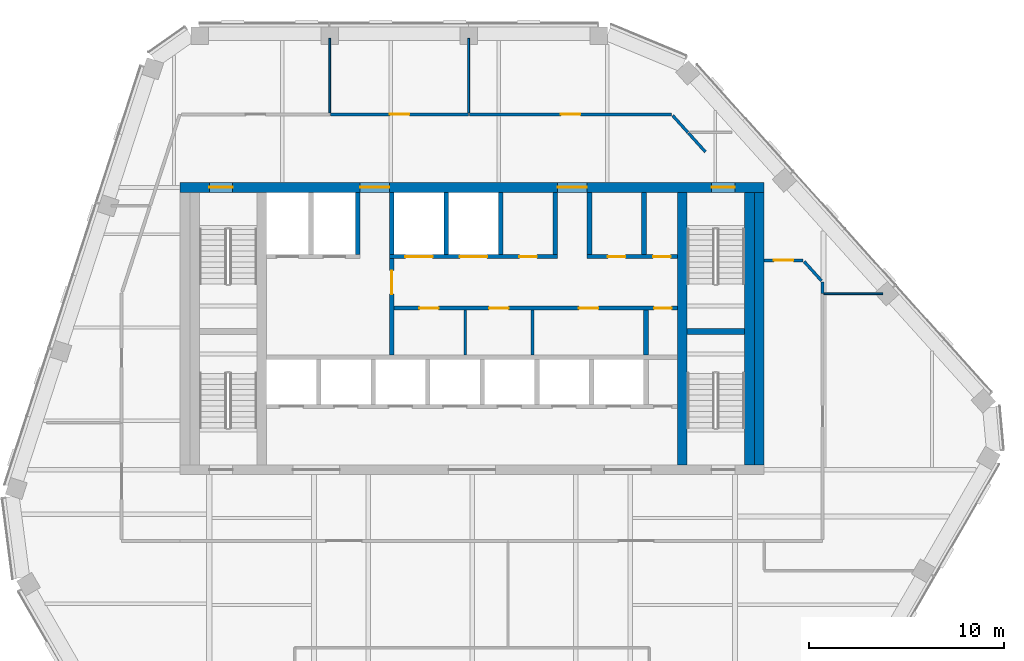
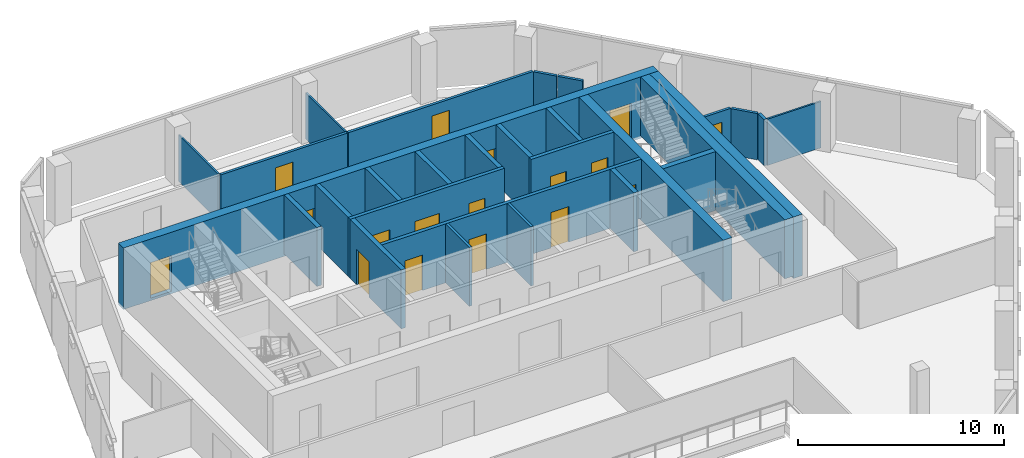
# One storey, part 9 of 15: 29 walls, 17 doors, 17 openings.
"""IFC4 building model written with IfcOpenShell, lengths in metres."""

import ifcopenshell
import ifcopenshell.guid

model = None  # the IFC model being written
_history = None  # IfcOwnerHistory: only IFC2X3 demands one
_inside = {}  # id of a spatial element -> (the spatial element, [elements in it])
_under = {}  # id of a project, library or spatial element -> (it, [spatial elements below it])
_declared = {}  # id of a project -> (the project, [libraries it declares])
_typed = {}  # id of a type object -> (the type object, [elements of that type])
_made_of = {}  # id of a material, layer set ... -> (it, [elements and type objects made of it])


def new_model(schema):
    """Start an empty IFC model of exactly this schema.

    Asked for "IFC4X3", IfcOpenShell would pick the latest addendum, in which some entities
    have other attributes; the version numbers below select the first issue.
    IFC2X3 requires an IfcOwnerHistory on every rooted entity: one is made here for all.
    """
    global model, _history
    if schema == "IFC4X3":
        model = ifcopenshell.file(schema_version=(4, 3, 0, 0))
    else:
        model = ifcopenshell.file(schema=schema)
    _inside.clear()
    _under.clear()
    _declared.clear()
    _typed.clear()
    _made_of.clear()
    _history = None
    if model.schema == "IFC2X3":
        org = make("IfcOrganization", Name="unknown")
        user = make(
            "IfcPersonAndOrganization",
            ThePerson=make("IfcPerson", FamilyName="unknown"),
            TheOrganization=org,
        )
        app = make(
            "IfcApplication",
            ApplicationDeveloper=org,
            Version="unknown",
            ApplicationFullName="unknown",
            ApplicationIdentifier="unknown",
        )
        _history = make(
            "IfcOwnerHistory",
            OwningUser=user,
            OwningApplication=app,
            ChangeAction="ADDED",
            CreationDate=0,
        )
    return model


def make(cls, **values):
    """One entity of the class cls with the attributes given. An attribute that is None is left unset."""
    return model.create_entity(
        cls, **{name: value for name, value in values.items() if value is not None}
    )


def rooted(cls, **values):
    """An entity with a GlobalId (a new one), such as an element, a storey or a relation."""
    return make(cls, GlobalId=ifcopenshell.guid.new(), OwnerHistory=_history, **values)


def si_unit(unit_type, name, prefix=None):
    """IfcSIUnit, for example si_unit("LENGTHUNIT", "METRE", prefix="MILLI")."""
    return make("IfcSIUnit", UnitType=unit_type, Prefix=prefix, Name=name)


def assignment(units):
    """IfcUnitAssignment: the units of a project."""
    return None if units is None else make("IfcUnitAssignment", Units=units)


def point(xyz):
    """IfcCartesianPoint."""
    return None if xyz is None else make("IfcCartesianPoint", Coordinates=xyz)


def direction(xyz):
    """IfcDirection."""
    return None if xyz is None else make("IfcDirection", DirectionRatios=xyz)


def frame(location, z_axis=None, x_axis=None):
    """IfcAxis2Placement3D, a coordinate frame: its origin and axes. An axis left out is left unset."""
    return make(
        "IfcAxis2Placement3D",
        Location=point(location),
        Axis=direction(z_axis),
        RefDirection=direction(x_axis),
    )


def frame_2d(location, x_axis=None):
    """IfcAxis2Placement2D, a coordinate frame in the plane: its origin and x axis."""
    return make(
        "IfcAxis2Placement2D", Location=point(location), RefDirection=direction(x_axis)
    )


def origin():
    """The frame at (0, 0, 0) with its axes left unset."""
    return frame((0.0, 0.0, 0.0))


def place(relative_to, where):
    """IfcLocalPlacement: puts the frame where relative to a parent placement (None: the world)."""
    return make(
        "IfcLocalPlacement", PlacementRelTo=relative_to, RelativePlacement=where
    )


def context(
    kind, dimensions, precision=None, world=None, true_north=None, identifier=None
):
    """IfcGeometricRepresentationContext, for example the 3D "Model" context."""
    return make(
        "IfcGeometricRepresentationContext",
        ContextIdentifier=identifier,
        ContextType=kind,
        CoordinateSpaceDimension=dimensions,
        Precision=precision,
        WorldCoordinateSystem=world,
        TrueNorth=true_north,
    )


def subcontext(parent, identifier, kind, view, scale=None):
    """IfcGeometricRepresentationSubContext, for example "Body" below "Model"."""
    return make(
        "IfcGeometricRepresentationSubContext",
        ContextIdentifier=identifier,
        ContextType=kind,
        ParentContext=parent,
        TargetScale=scale,
        TargetView=view,
    )


def project(units=None, contexts=None):
    """IfcProject with its units and contexts."""
    return rooted(
        "IfcProject",
        Name="project",
        RepresentationContexts=contexts,
        UnitsInContext=assignment(units),
    )


def spatial(cls, under=None, at=None, **own):
    """A site, building, storey or space (cls), placed at a placement, below another one or the project."""
    s = rooted(cls, ObjectPlacement=at, **own)
    if under is not None:
        _under.setdefault(under.id(), (under, []))[1].append(s)
    return s


def profile(cls, at=None, kind="AREA", **sizes):
    """A parametric profile (cls). Its sizes go by their IFC names, for example OverallWidth=200.0."""
    return make(cls, ProfileType=kind, Position=at, **sizes)


def rectangle(**sizes):
    """IfcRectangleProfileDef."""
    return profile("IfcRectangleProfileDef", **sizes)


def extrude(swept, where, along, depth):
    """IfcExtrudedAreaSolid: the profile swept, set in the frame where, extruded along a direction by depth."""
    return make(
        "IfcExtrudedAreaSolid",
        SweptArea=swept,
        Position=where,
        ExtrudedDirection=direction(along),
        Depth=depth,
    )


def shape(context_of_items, identifier, shape_type, items):
    """IfcShapeRepresentation: the items that make up one representation, for example the "Body"."""
    return make(
        "IfcShapeRepresentation",
        ContextOfItems=context_of_items,
        RepresentationIdentifier=identifier,
        RepresentationType=shape_type,
        Items=items,
    )


def material(Name=None, Category=None):
    """IfcMaterial."""
    return make("IfcMaterial", Name=Name, Category=Category)


def layer(
    of_material, thickness, ventilated=None, Name=None, Category=None, Priority=None
):
    """IfcMaterialLayer: one layer of a wall or slab, of a material (None: an air gap)."""
    return make(
        "IfcMaterialLayer",
        Material=of_material,
        LayerThickness=thickness,
        IsVentilated=ventilated,
        Name=Name,
        Category=Category,
        Priority=Priority,
    )


def layer_set(layers, Name=None):
    """IfcMaterialLayerSet."""
    return make("IfcMaterialLayerSet", MaterialLayers=layers, LayerSetName=Name)


def made_of(thing, what):
    """Note that an element or type object is made of a material, layer set ...; save() writes the relation."""
    if what is not None:
        _made_of.setdefault(what.id(), (what, []))[1].append(thing)
    return thing


def type_object(cls, material=None, **own):
    """A type object (cls), such as IfcWallType, which elements share."""
    return made_of(rooted(cls, **own), material)


def element(
    cls,
    number,
    at=None,
    inside=None,
    cuts=None,
    type_object=None,
    material=None,
    context=None,
    identifier="Body",
    shape_type=None,
    held_by="IfcProductDefinitionShape",
    body=None,
    shapes=None,
    **own,
):
    """One element of the class cls, such as IfcWall. Its Tag is "e" and its number.

    at: its placement. inside: the storey or other place that contains it. cuts: it is an
    opening in that element (IfcRelVoidsElement). A single representation is given by context,
    identifier, shape_type and body (its items); several are given by shapes. held_by: the class
    of the entity that holds the representations. save() writes the other relations.
    """
    e = rooted(cls, Tag="e%d" % number, ObjectPlacement=at, **own)
    if body is not None:
        shapes = [shape(context, identifier, shape_type, body)]
    if shapes is not None:
        e.Representation = make(held_by, Representations=shapes)
    if inside is not None:
        _inside.setdefault(inside.id(), (inside, []))[1].append(e)
    if cuts is not None:
        rooted(
            "IfcRelVoidsElement", RelatingBuildingElement=cuts, RelatedOpeningElement=e
        )
    if type_object is not None:
        _typed.setdefault(type_object.id(), (type_object, []))[1].append(e)
    return made_of(e, material)


def fill(opening, filler):
    """IfcRelFillsElement: the door or window that sits in an opening."""
    return rooted(
        "IfcRelFillsElement",
        RelatingOpeningElement=opening,
        RelatedBuildingElement=filler,
    )


def aggregate(whole, parts):
    """IfcRelAggregates: a whole, such as a stair, and the parts it consists of."""
    return rooted("IfcRelAggregates", RelatingObject=whole, RelatedObjects=parts)


def save(model, path):
    """Write the relations noted so far, then the file.

    IfcRelAggregates (storeys below a building ...), IfcRelContainedInSpatialStructure (elements
    in a storey), IfcRelDefinesByType, IfcRelAssociatesMaterial and IfcRelDeclares: one each for
    every whole, place, type object, material and project.
    """
    for whole, parts in _under.values():
        aggregate(whole, parts)
    for where, things in _inside.values():
        rooted(
            "IfcRelContainedInSpatialStructure",
            RelatedElements=things,
            RelatingStructure=where,
        )
    for kind, things in _typed.values():
        rooted("IfcRelDefinesByType", RelatedObjects=things, RelatingType=kind)
    for what, things in _made_of.values():
        rooted("IfcRelAssociatesMaterial", RelatedObjects=things, RelatingMaterial=what)
    for by, libraries in _declared.values():
        rooted("IfcRelDeclares", RelatingContext=by, RelatedDefinitions=libraries)
    model.write(path)


model = new_model("IFC4")

# Units and contexts
model_context = context("Model", 3, precision=1e-05, world=origin(), true_north=direction((0.0, 1.0)))
body_context = subcontext(model_context, "Body", "Model", "MODEL_VIEW")
ifc_project = project(units=[si_unit("LENGTHUNIT", "METRE"), si_unit("AREAUNIT", "SQUARE_METRE"), si_unit("VOLUMEUNIT", "CUBIC_METRE"), si_unit("PLANEANGLEUNIT", "RADIAN"), si_unit("MASSUNIT", "GRAM", prefix="KILO")], contexts=[model_context])

# Site, building, storey
site_placement = place(None, origin())
site = spatial("IfcSite", under=ifc_project, at=site_placement, CompositionType="ELEMENT")
building_placement = place(site_placement, origin())
building = spatial("IfcBuilding", under=site, at=building_placement, Name="Isthmus Gate Tower", CompositionType="ELEMENT")
storey_placement = place(building_placement, frame((0.0, 0.0, 290.14990234375)))
storey = spatial("IfcBuildingStorey", under=building, at=storey_placement, Name="L74", CompositionType="ELEMENT", Elevation=290.14990234375)

# Wall
ifc_material_1 = material(Name="Gypsum board on steel studs, fire-rated", Category="steel")
ifc_layer_1 = layer(ifc_material_1, 0.14990234375)
ifc_layer_set_1 = layer_set([ifc_layer_1], Name="CORRIDOR WALL 150 60 MIN")
wall_type_1 = type_object("IfcWallType", Name="CORRIDOR WALL 150 60 MIN", PredefinedType="PARTITIONING", material=ifc_layer_set_1)
wall_1_placement = place(storey_placement, frame((18.0, 9.89501953125, 0.0), z_axis=(0.0, 0.0, 1.0), x_axis=(0.0, -1.0, 0.0)))
element("IfcWall", 1, at=wall_1_placement, inside=storey, type_object=wall_type_1, Name="L74 Corridor Wall 150 60 Min", PredefinedType="PARTITIONING", context=body_context, shape_type="SweptSolid", body=[
    extrude(rectangle(XDim=0.60498046875, YDim=0.14990234375, at=frame_2d((0.302490234375, 0.0))), origin(), (0.0, 0.0, 1.0), 2.750732421875),
])

# Wall, opening, door
wall_2_placement = place(storey_placement, frame((-7.260009765625, 18.5, 0.0), z_axis=(0.0, 0.0, 1.0), x_axis=(1.0, 0.0, 0.0)))
wall_2 = element("IfcWall", 2, at=wall_2_placement, inside=storey, type_object=wall_type_1, Name="L74 Corridor Wall 150 60 Min", PredefinedType="PARTITIONING", context=body_context, shape_type="SweptSolid", body=[
    extrude(rectangle(XDim=7.0849609375, YDim=0.14990234375, at=frame_2d((3.54248046875, 0.0))), origin(), (0.0, 0.0, 1.0), 2.750732421875),
])
opening_1_placement = place(wall_2_placement, frame((3.04248046875, 0.0, 0.0)))
opening_1 = element("IfcOpeningElement", 3, at=opening_1_placement, cuts=wall_2, Name="Opening DT-T6C-02", PredefinedType="OPENING", context=body_context, shape_type="SweptSolid", body=[
    extrude(rectangle(XDim=1.0, YDim=2.10009765625, at=frame_2d((0.5, 1.050048828125))), frame((0.0, 0.0849609375, 0.0), z_axis=(0.0, -1.0, 0.0), x_axis=(1.0, 0.0, 0.0)), (0.0, 0.0, 1.0), 0.169921875),
])
ifc_material_2 = material(Name="Solid core timber door leaf, fire-rated", Category="wood")
door_type_1 = type_object("IfcDoorType", Name="FIRE DOOR ROOM 1000 X 2100 60 MIN", OperationType="SINGLE_SWING_LEFT", PredefinedType="DOOR", material=ifc_material_2)
door_1_placement = place(opening_1_placement, origin())
door_1 = element("IfcDoor", 4, at=door_1_placement, inside=storey, type_object=door_type_1, Name="L74 room door", OperationType="SINGLE_SWING_RIGHT", OverallHeight=2.10009765625, OverallWidth=1.0, PredefinedType="DOOR", context=body_context, shape_type="SweptSolid", body=[
    extrude(rectangle(XDim=1.0, YDim=2.10009765625, at=frame_2d((0.5, 1.050048828125))), frame((0.0, 0.02490234375, 0.0), z_axis=(0.0, -1.0, 0.0), x_axis=(1.0, 0.0, 0.0)), (0.0, 0.0, 1.0), 0.050048828125),
])
fill(opening_1, door_1)

wall_3_placement = place(storey_placement, frame((-0.125, 18.5, 0.0), z_axis=(0.0, 0.0, 1.0), x_axis=(1.0, 0.0, 0.0)))
wall_3 = element("IfcWall", 5, at=wall_3_placement, inside=storey, type_object=wall_type_1, Name="L74 Corridor Wall 150 60 Min", PredefinedType="PARTITIONING", context=body_context, shape_type="SweptSolid", body=[
    extrude(rectangle(XDim=10.376953125, YDim=0.14990234375, at=frame_2d((5.1884765625, 0.0))), origin(), (0.0, 0.0, 1.0), 2.750732421875),
])
opening_2_placement = place(wall_3_placement, frame((4.6884765625, 0.0, 0.0)))
opening_2 = element("IfcOpeningElement", 6, at=opening_2_placement, cuts=wall_3, Name="Opening DT-T6C-03", PredefinedType="OPENING", context=body_context, shape_type="SweptSolid", body=[
    extrude(rectangle(XDim=1.0, YDim=2.10009765625, at=frame_2d((0.5, 1.050048828125))), frame((0.0, 0.0849609375, 0.0), z_axis=(0.0, -1.0, 0.0), x_axis=(1.0, 0.0, 0.0)), (0.0, 0.0, 1.0), 0.169921875),
])
door_2_placement = place(opening_2_placement, origin())
door_2 = element("IfcDoor", 7, at=door_2_placement, inside=storey, type_object=door_type_1, Name="L74 room door", OperationType="SINGLE_SWING_RIGHT", OverallHeight=2.10009765625, OverallWidth=1.0, PredefinedType="DOOR", context=body_context, shape_type="SweptSolid", body=[
    extrude(rectangle(XDim=1.0, YDim=2.10009765625, at=frame_2d((0.5, 1.050048828125))), frame((0.0, 0.02490234375, 0.0), z_axis=(0.0, -1.0, 0.0), x_axis=(1.0, 0.0, 0.0)), (0.0, 0.0, 1.0), 0.050048828125),
])
fill(opening_2, door_2)

# Walls
wall_4_placement = place(storey_placement, frame((10.30224609375, 18.4443359375, 0.0), z_axis=(0.0, 0.0, 1.0), x_axis=(0.668964731622, -0.743294146247, 0.0)))
element("IfcWall", 8, at=wall_4_placement, inside=storey, type_object=wall_type_1, Name="L74 Corridor Wall 150 60 Min", PredefinedType="PARTITIONING", context=body_context, shape_type="SweptSolid", body=[
    extrude(rectangle(XDim=1.162841796875, YDim=0.14990234375, at=frame_2d((0.58154296875, 0.0))), origin(), (0.0, 0.0, 1.0), 2.750732421875),
])
wall_5_placement = place(storey_placement, frame((11.113525390625, 17.542724609375, 0.0), z_axis=(0.0, 0.0, 1.0), x_axis=(0.669172057426, -0.743107500675, 0.0)))
element("IfcWall", 9, at=wall_5_placement, inside=storey, type_object=wall_type_1, Name="L74 Corridor Wall 150 60 Min", PredefinedType="PARTITIONING", context=body_context, shape_type="SweptSolid", body=[
    extrude(rectangle(XDim=1.301025390625, YDim=0.14990234375, at=frame_2d((0.650390625, 0.0))), origin(), (0.0, 0.0, 1.0), 2.750732421875),
])

# Wall, opening, door
wall_6_placement = place(storey_placement, frame((15.0, 11.0, 0.0), z_axis=(0.0, 0.0, 1.0), x_axis=(1.0, 0.0, 0.0)))
wall_6 = element("IfcWall", 10, at=wall_6_placement, inside=storey, type_object=wall_type_1, Name="L74 Corridor Wall 150 60 Min", PredefinedType="PARTITIONING", context=body_context, shape_type="SweptSolid", body=[
    extrude(rectangle(XDim=2.0048828125, YDim=0.14990234375, at=frame_2d((1.00244140625, 0.0))), origin(), (0.0, 0.0, 1.0), 2.750732421875),
])
opening_3_placement = place(wall_6_placement, frame((0.50244140625, 0.0, 0.0)))
opening_3 = element("IfcOpeningElement", 11, at=opening_3_placement, cuts=wall_6, Name="Opening DT-T6C-04", PredefinedType="OPENING", context=body_context, shape_type="SweptSolid", body=[
    extrude(rectangle(XDim=1.0, YDim=2.10009765625, at=frame_2d((0.5, 1.050048828125))), frame((0.0, 0.0849609375, 0.0), z_axis=(0.0, -1.0, 0.0), x_axis=(1.0, 0.0, 0.0)), (0.0, 0.0, 1.0), 0.169921875),
])
door_3_placement = place(opening_3_placement, origin())
door_3 = element("IfcDoor", 12, at=door_3_placement, inside=storey, type_object=door_type_1, Name="L74 room door", OperationType="SINGLE_SWING_LEFT", OverallHeight=2.10009765625, OverallWidth=1.0, PredefinedType="DOOR", context=body_context, shape_type="SweptSolid", body=[
    extrude(rectangle(XDim=1.0, YDim=2.10009765625, at=frame_2d((0.5, 1.050048828125))), frame((0.0, 0.02490234375, 0.0), z_axis=(0.0, -1.0, 0.0), x_axis=(1.0, 0.0, 0.0)), (0.0, 0.0, 1.0), 0.050048828125),
])
fill(opening_3, door_3)

# Wall
wall_7_placement = place(storey_placement, frame((17.05517578125, 10.9443359375, 0.0), z_axis=(0.0, 0.0, 1.0), x_axis=(0.669065612335, -0.743203341213, 0.0)))
element("IfcWall", 13, at=wall_7_placement, inside=storey, type_object=wall_type_1, Name="L74 Corridor Wall 150 60 Min", PredefinedType="PARTITIONING", context=body_context, shape_type="SweptSolid", body=[
    extrude(rectangle(XDim=1.3369140625, YDim=0.14990234375, at=frame_2d((0.66845703125, 0.0))), origin(), (0.0, 0.0, 1.0), 2.750732421875),
])

# Wall, opening, door
ifc_material_3 = material(Name="Fire-rated blockwork masonry, 15 MPa", Category="masonry")
ifc_layer_2 = layer(ifc_material_3, 0.25)
ifc_layer_set_2 = layer_set([ifc_layer_2], Name="FIRE-FIGHTING LOBBY WALL 250 90 MIN")
wall_type_2 = type_object("IfcWallType", Name="FIRE-FIGHTING LOBBY WALL 250 90 MIN", PredefinedType="PARTITIONING", material=ifc_layer_set_2)
wall_8_placement = place(storey_placement, frame((-4.125, 6.14990234375, 0.0), z_axis=(0.0, 0.0, 1.0), x_axis=(0.0, 1.0, 0.0)))
wall_8 = element("IfcWall", 14, at=wall_8_placement, inside=storey, type_object=wall_type_2, Name="L74 FIRE-FIGHTING LOBBY WALL 250 90 MIN", PredefinedType="PARTITIONING", context=body_context, shape_type="SweptSolid", body=[
    extrude(rectangle(XDim=4.9501953125, YDim=0.25, at=frame_2d((2.47509765625, 0.0))), origin(), (0.0, 0.0, 1.0), 3.5),
])
opening_4_placement = place(wall_8_placement, frame((3.125, 0.0, 0.0)))
opening_4 = element("IfcOpeningElement", 15, at=opening_4_placement, cuts=wall_8, Name="Opening DC-A20-01", PredefinedType="OPENING", context=body_context, shape_type="SweptSolid", body=[
    extrude(rectangle(XDim=1.199951171875, YDim=2.10009765625, at=frame_2d((0.60009765625, 1.050048828125))), frame((0.0, 0.135009765625, 0.0), z_axis=(0.0, -1.0, 0.0), x_axis=(1.0, 0.0, 0.0)), (0.0, 0.0, 1.0), 0.27001953125),
])
ifc_material_4 = material(Name="Steel door leaf, fire-rated", Category="steel")
door_type_2 = type_object("IfcDoorType", Name="LOBBY FIRE DOOR 1200 X 2100 90 MIN", OperationType="DOUBLE_DOOR_SINGLE_SWING", PredefinedType="DOOR", material=ifc_material_4)
door_4_placement = place(opening_4_placement, origin())
door_4 = element("IfcDoor", 16, at=door_4_placement, inside=storey, type_object=door_type_2, Name="Fire-fighting Lobby Door", OperationType="SINGLE_SWING_LEFT", OverallHeight=2.10009765625, OverallWidth=1.199951171875, PredefinedType="DOOR", context=body_context, shape_type="SweptSolid", body=[
    extrude(rectangle(XDim=1.199951171875, YDim=2.10009765625, at=frame_2d((0.60009765625, 1.050048828125))), frame((0.0, 0.02490234375, 0.0), z_axis=(0.0, -1.0, 0.0), x_axis=(1.0, 0.0, 0.0)), (0.0, 0.0, 1.0), 0.050048828125),
])
fill(opening_4, door_4)

# Wall
ifc_material_5 = material(Name="Concrete f'c 50 MPa", Category="concrete")
ifc_layer_3 = layer(ifc_material_5, 0.5)
ifc_layer_set_3 = layer_set([ifc_layer_3], Name="RC CORE SPINE WALL 500 F'C 50")
wall_type_3 = type_object("IfcWallType", Name="RC CORE SPINE WALL 500 F'C 50", PredefinedType="SOLIDWALL", material=ifc_layer_set_3)
wall_9_placement = place(storey_placement, frame((10.800048828125, 0.5, -0.14990234375), z_axis=(0.0, 0.0, 1.0), x_axis=(0.0, 1.0, 0.0)))
element("IfcWall", 17, at=wall_9_placement, inside=storey, type_object=wall_type_3, Name="str-corewall-L74-SPE", PredefinedType="SOLIDWALL", context=body_context, shape_type="SweptSolid", body=[
    extrude(rectangle(XDim=14.0, YDim=0.5, at=frame_2d((7.0, 0.0))), origin(), (0.0, 0.0, 1.0), 3.64990234375),
])

# Wall, openings, doors
ifc_material_6 = material(Name="Concrete f'c 50 MPa", Category="concrete")
ifc_layer_4 = layer(ifc_material_6, 0.5)
ifc_layer_set_4 = layer_set([ifc_layer_4], Name="RC CORE WALL 500 F'C 50")
wall_type_4 = type_object("IfcWallType", Name="RC CORE WALL 500 F'C 50", PredefinedType="SOLIDWALL", material=ifc_layer_set_4)
wall_10_placement = place(storey_placement, frame((-15.0, 14.75, -0.14990234375), z_axis=(0.0, 0.0, 1.0), x_axis=(1.0, 0.0, 0.0)))
wall_10 = element("IfcWall", 18, at=wall_10_placement, inside=storey, type_object=wall_type_4, Name="str-corewall-L74-N", PredefinedType="SOLIDWALL", context=body_context, shape_type="SweptSolid", body=[
    extrude(rectangle(XDim=30.0, YDim=0.5, at=frame_2d((15.0, 0.0))), origin(), (0.0, 0.0, 1.0), 3.64990234375),
])
opening_5_placement = place(wall_10_placement, frame((9.25, 0.0, 0.14990234375)))
opening_5 = element("IfcOpeningElement", 19, at=opening_5_placement, cuts=wall_10, Name="Opening DC-A20-13", PredefinedType="OPENING", context=body_context, shape_type="SweptSolid", body=[
    extrude(rectangle(XDim=1.5, YDim=2.10009765625, at=frame_2d((0.75, 1.050048828125))), frame((0.0, 0.260009765625, 0.0), z_axis=(0.0, -1.0, 0.0), x_axis=(1.0, 0.0, 0.0)), (0.0, 0.0, 1.0), 0.52001953125),
])
opening_6_placement = place(wall_10_placement, frame((19.39990234375, 0.0, 0.14990234375)))
opening_6 = element("IfcOpeningElement", 20, at=opening_6_placement, cuts=wall_10, Name="Opening DC-A20-14", PredefinedType="OPENING", context=body_context, shape_type="SweptSolid", body=[
    extrude(rectangle(XDim=1.5, YDim=2.10009765625, at=frame_2d((0.75, 1.050048828125))), frame((0.0, 0.260009765625, 0.0), z_axis=(0.0, -1.0, 0.0), x_axis=(1.0, 0.0, 0.0)), (0.0, 0.0, 1.0), 0.52001953125),
])
opening_7_placement = place(wall_10_placement, frame((1.5, 0.0, 0.14990234375)))
opening_7 = element("IfcOpeningElement", 21, at=opening_7_placement, cuts=wall_10, Name="Opening DC-A20-15", PredefinedType="OPENING", context=body_context, shape_type="SweptSolid", body=[
    extrude(rectangle(XDim=1.199951171875, YDim=2.10009765625, at=frame_2d((0.60009765625, 1.050048828125))), frame((0.0, 0.260009765625, 0.0), z_axis=(0.0, -1.0, 0.0), x_axis=(1.0, 0.0, 0.0)), (0.0, 0.0, 1.0), 0.52001953125),
])
opening_8_placement = place(wall_10_placement, frame((27.300048828125, 0.0, 0.14990234375)))
opening_8 = element("IfcOpeningElement", 22, at=opening_8_placement, cuts=wall_10, Name="Opening DC-A20-16", PredefinedType="OPENING", context=body_context, shape_type="SweptSolid", body=[
    extrude(rectangle(XDim=1.199951171875, YDim=2.10009765625, at=frame_2d((0.60009765625, 1.050048828125))), frame((0.0, 0.260009765625, 0.0), z_axis=(0.0, -1.0, 0.0), x_axis=(1.0, 0.0, 0.0)), (0.0, 0.0, 1.0), 0.52001953125),
])
ifc_material_7 = material(Name="Steel door leaf, fire-rated", Category="steel")
door_type_3 = type_object("IfcDoorType", Name="LOBBY FIRE DOOR 1500 X 2100 60 MIN", OperationType="DOUBLE_DOOR_SINGLE_SWING", PredefinedType="DOOR", material=ifc_material_7)
door_5_placement = place(opening_6_placement, origin())
door_5 = element("IfcDoor", 23, at=door_5_placement, inside=storey, type_object=door_type_3, Name="Lobby Door PN-E", OperationType="DOUBLE_DOOR_SINGLE_SWING", OverallHeight=2.10009765625, OverallWidth=1.5, PredefinedType="DOOR", context=body_context, shape_type="SweptSolid", body=[
    extrude(rectangle(XDim=1.5, YDim=2.10009765625, at=frame_2d((0.75, 1.050048828125))), frame((0.0, 0.02490234375, 0.0), z_axis=(0.0, -1.0, 0.0), x_axis=(1.0, 0.0, 0.0)), (0.0, 0.0, 1.0), 0.050048828125),
])
fill(opening_6, door_5)
ifc_material_8 = material(Name="Steel door leaf, fire-rated", Category="steel")
door_type_4 = type_object("IfcDoorType", Name="LOBBY FIRE DOOR 1500 X 2100 90 MIN", OperationType="DOUBLE_DOOR_SINGLE_SWING", PredefinedType="DOOR", material=ifc_material_8)
door_6_placement = place(opening_5_placement, origin())
door_6 = element("IfcDoor", 24, at=door_6_placement, inside=storey, type_object=door_type_4, Name="Lobby Door PN-W", OperationType="DOUBLE_DOOR_SINGLE_SWING", OverallHeight=2.10009765625, OverallWidth=1.5, PredefinedType="DOOR", context=body_context, shape_type="SweptSolid", body=[
    extrude(rectangle(XDim=1.5, YDim=2.10009765625, at=frame_2d((0.75, 1.050048828125))), frame((0.0, 0.02490234375, 0.0), z_axis=(0.0, -1.0, 0.0), x_axis=(1.0, 0.0, 0.0)), (0.0, 0.0, 1.0), 0.050048828125),
])
fill(opening_5, door_6)
ifc_material_9 = material(Name="Steel door leaf, fire-rated", Category="steel")
door_type_5 = type_object("IfcDoorType", Name="STAIR FIRE DOOR 1200 X 2100 90 MIN", OperationType="SINGLE_SWING_LEFT", PredefinedType="DOOR", material=ifc_material_9)
door_7_placement = place(opening_7_placement, origin())
door_7 = element("IfcDoor", 25, at=door_7_placement, inside=storey, type_object=door_type_5, Name="Exit Stair 1 Door", OperationType="SINGLE_SWING_RIGHT", OverallHeight=2.10009765625, OverallWidth=1.199951171875, PredefinedType="DOOR", context=body_context, shape_type="SweptSolid", body=[
    extrude(rectangle(XDim=1.199951171875, YDim=2.10009765625, at=frame_2d((0.60009765625, 1.050048828125))), frame((0.0, 0.02490234375, 0.0), z_axis=(0.0, -1.0, 0.0), x_axis=(1.0, 0.0, 0.0)), (0.0, 0.0, 1.0), 0.050048828125),
])
fill(opening_7, door_7)
door_8_placement = place(opening_8_placement, origin())
door_8 = element("IfcDoor", 26, at=door_8_placement, inside=storey, type_object=door_type_5, Name="Exit Stair 2 Door", OperationType="SINGLE_SWING_LEFT", OverallHeight=2.10009765625, OverallWidth=1.199951171875, PredefinedType="DOOR", context=body_context, shape_type="SweptSolid", body=[
    extrude(rectangle(XDim=1.199951171875, YDim=2.10009765625, at=frame_2d((0.60009765625, 1.050048828125))), frame((0.0, 0.02490234375, 0.0), z_axis=(0.0, -1.0, 0.0), x_axis=(1.0, 0.0, 0.0)), (0.0, 0.0, 1.0), 0.050048828125),
])
fill(opening_8, door_8)

# Walls
wall_11_placement = place(storey_placement, frame((14.75, 0.5, -0.14990234375), z_axis=(0.0, 0.0, 1.0), x_axis=(0.0, 1.0, 0.0)))
element("IfcWall", 27, at=wall_11_placement, inside=storey, type_object=wall_type_4, Name="str-corewall-L74-E", PredefinedType="SOLIDWALL", context=body_context, shape_type="SweptSolid", body=[
    extrude(rectangle(XDim=14.0, YDim=0.5, at=frame_2d((7.0, 0.0))), origin(), (0.0, 0.0, 1.0), 3.64990234375),
])
ifc_material_10 = material(Name="Gypsum board on steel studs, fire-rated", Category="steel")
ifc_layer_5 = layer(ifc_material_10, 0.10009765625)
ifc_layer_set_5 = layer_set([ifc_layer_5], Name="ROOM PARTITION 100 30 MIN")
wall_type_5 = type_object("IfcWallType", Name="ROOM PARTITION 100 30 MIN", PredefinedType="PARTITIONING", material=ifc_layer_set_5)
for number, where, z_axis, x_axis, name in (
    (28, (-7.31005859375, 18.574951171875, 0.0), (0.0, 0.0, 1.0), (0.0, 1.0, 0.0), "L74 Room Partition 100 30 Min"),
    (29, (-0.175048828125, 18.574951171875, 0.0), (0.0, 0.0, 1.0), (0.0, 1.0, 0.0), "L74 Room Partition 100 30 Min"),
):
    element("IfcWall", number, at=place(storey_placement, frame(where, z_axis=z_axis, x_axis=x_axis)), inside=storey, type_object=wall_type_5, Name=name, PredefinedType="PARTITIONING", context=body_context, shape_type="SweptSolid", body=[
        extrude(rectangle(XDim=3.824951171875, YDim=0.10009765625, at=frame_2d((1.91259765625, 0.0))), origin(), (0.0, 0.0, 1.0), 2.750732421875),
    ])
wall_12_placement = place(storey_placement, frame((18.074951171875, 9.2900390625, 0.0), z_axis=(0.0, 0.0, 1.0), x_axis=(1.0, 0.0, 0.0)))
element("IfcWall", 30, at=wall_12_placement, inside=storey, type_object=wall_type_5, Name="L74 Room Partition 100 30 Min", PredefinedType="PARTITIONING", context=body_context, shape_type="SweptSolid", body=[
    extrude(rectangle(XDim=3.026123046875, YDim=0.10009765625, at=frame_2d((1.51318359375, 0.0))), origin(), (0.0, 0.0, 1.0), 2.750732421875),
])
ifc_material_11 = material(Name="Gypsum board on steel studs, fire-rated", Category="steel")
ifc_layer_6 = layer(ifc_material_11, 0.14990234375)
ifc_layer_set_6 = layer_set([ifc_layer_6], Name="ROOM PARTITION 150 60 MIN")
wall_type_6 = type_object("IfcWallType", Name="ROOM PARTITION 150 60 MIN", PredefinedType="PARTITIONING", material=ifc_layer_set_6)
for number, where, z_axis, x_axis, name in (
    (31, (-0.35009765625, 6.14990234375, 0.0), (0.0, 0.0, 1.0), (0.0, 1.0, 0.0), "L74 ROOM PARTITION 150 60 MIN"),
    (32, (3.10009765625, 6.14990234375, 0.0), (0.0, 0.0, 1.0), (0.0, 1.0, 0.0), "L74 ROOM PARTITION 150 60 MIN"),
):
    element("IfcWall", number, at=place(storey_placement, frame(where, z_axis=z_axis, x_axis=x_axis)), inside=storey, type_object=wall_type_6, Name=name, PredefinedType="PARTITIONING", context=body_context, shape_type="SweptSolid", body=[
        extrude(rectangle(XDim=2.300048828125, YDim=0.14990234375, at=frame_2d((1.14990234375, 0.0))), origin(), (0.0, 0.0, 1.0), 3.5),
    ])

# Wall, openings, doors
ifc_material_12 = material(Name="Fire-rated blockwork masonry, 15 MPa", Category="masonry")
ifc_layer_7 = layer(ifc_material_12, 0.199951171875)
ifc_layer_set_7 = layer_set([ifc_layer_7], Name="SHAFT FRONT WALL 200 120 MIN")
wall_type_7 = type_object("IfcWallType", Name="SHAFT FRONT WALL 200 120 MIN", PredefinedType="PARTITIONING", material=ifc_layer_set_7)
wall_13_placement = place(storey_placement, frame((-4.125, 8.550048828125, 0.0), z_axis=(0.0, 0.0, 1.0), x_axis=(1.0, 0.0, 0.0)))
wall_13 = element("IfcWall", 33, at=wall_13_placement, inside=storey, type_object=wall_type_7, Name="L74 SHAFT FRONT WALL 200 120 MIN", PredefinedType="PARTITIONING", context=body_context, shape_type="SweptSolid", body=[
    extrude(rectangle(XDim=14.675048828125, YDim=0.199951171875, at=frame_2d((7.33740234375, 0.0))), origin(), (0.0, 0.0, 1.0), 3.5),
])
opening_9_placement = place(wall_13_placement, frame((1.41259765625, 0.0, 0.0)))
opening_9 = element("IfcOpeningElement", 34, at=opening_9_placement, cuts=wall_13, Name="Opening DC-A20-03", PredefinedType="OPENING", context=body_context, shape_type="SweptSolid", body=[
    extrude(rectangle(XDim=1.0, YDim=2.10009765625, at=frame_2d((0.5, 1.050048828125))), frame((0.0, 0.10986328125, 0.0), z_axis=(0.0, -1.0, 0.0), x_axis=(1.0, 0.0, 0.0)), (0.0, 0.0, 1.0), 0.219970703125),
])
opening_10_placement = place(wall_13_placement, frame((5.0, 0.0, 0.0)))
opening_10 = element("IfcOpeningElement", 35, at=opening_10_placement, cuts=wall_13, Name="Opening DC-A20-04", PredefinedType="OPENING", context=body_context, shape_type="SweptSolid", body=[
    extrude(rectangle(XDim=1.0, YDim=2.10009765625, at=frame_2d((0.5, 1.050048828125))), frame((0.0, 0.10986328125, 0.0), z_axis=(0.0, -1.0, 0.0), x_axis=(1.0, 0.0, 0.0)), (0.0, 0.0, 1.0), 0.219970703125),
])
opening_11_placement = place(wall_13_placement, frame((9.612548828125, 0.0, 0.0)))
opening_11 = element("IfcOpeningElement", 36, at=opening_11_placement, cuts=wall_13, Name="Opening DC-A20-05", PredefinedType="OPENING", context=body_context, shape_type="SweptSolid", body=[
    extrude(rectangle(XDim=1.0, YDim=2.10009765625, at=frame_2d((0.5, 1.050048828125))), frame((0.0, 0.10986328125, 0.0), z_axis=(0.0, -1.0, 0.0), x_axis=(1.0, 0.0, 0.0)), (0.0, 0.0, 1.0), 0.219970703125),
])
opening_12_placement = place(wall_13_placement, frame((13.47509765625, 0.0, 0.0)))
opening_12 = element("IfcOpeningElement", 37, at=opening_12_placement, cuts=wall_13, Name="Opening DC-A20-06", PredefinedType="OPENING", context=body_context, shape_type="SweptSolid", body=[
    extrude(rectangle(XDim=0.89990234375, YDim=2.10009765625, at=frame_2d((0.449951171875, 1.050048828125))), frame((0.0, 0.10986328125, 0.0), z_axis=(0.0, -1.0, 0.0), x_axis=(1.0, 0.0, 0.0)), (0.0, 0.0, 1.0), 0.219970703125),
])
ifc_material_13 = material(Name="Steel door leaf, fire-rated", Category="steel")
door_type_6 = type_object("IfcDoorType", Name="FIRE DOOR 1000 X 2100 60 MIN", OperationType="SINGLE_SWING_LEFT", PredefinedType="DOOR", material=ifc_material_13)
door_9_placement = place(opening_9_placement, origin())
door_9 = element("IfcDoor", 38, at=door_9_placement, inside=storey, type_object=door_type_6, Name="WC Men Door", OperationType="SINGLE_SWING_LEFT", OverallHeight=2.10009765625, OverallWidth=1.0, PredefinedType="DOOR", context=body_context, shape_type="SweptSolid", body=[
    extrude(rectangle(XDim=1.0, YDim=2.10009765625, at=frame_2d((0.5, 1.050048828125))), frame((0.0, 0.02490234375, 0.0), z_axis=(0.0, -1.0, 0.0), x_axis=(1.0, 0.0, 0.0)), (0.0, 0.0, 1.0), 0.050048828125),
])
fill(opening_9, door_9)
door_10_placement = place(opening_10_placement, origin())
door_10 = element("IfcDoor", 39, at=door_10_placement, inside=storey, type_object=door_type_6, Name="WC Women Door", OperationType="SINGLE_SWING_RIGHT", OverallHeight=2.10009765625, OverallWidth=1.0, PredefinedType="DOOR", context=body_context, shape_type="SweptSolid", body=[
    extrude(rectangle(XDim=1.0, YDim=2.10009765625, at=frame_2d((0.5, 1.050048828125))), frame((0.0, 0.02490234375, 0.0), z_axis=(0.0, -1.0, 0.0), x_axis=(1.0, 0.0, 0.0)), (0.0, 0.0, 1.0), 0.050048828125),
])
fill(opening_10, door_10)
door_11_placement = place(opening_11_placement, origin())
door_11 = element("IfcDoor", 40, at=door_11_placement, inside=storey, type_object=door_type_6, Name="Accessible WC Door", OperationType="SINGLE_SWING_LEFT", OverallHeight=2.10009765625, OverallWidth=1.0, PredefinedType="DOOR", context=body_context, shape_type="SweptSolid", body=[
    extrude(rectangle(XDim=1.0, YDim=2.10009765625, at=frame_2d((0.5, 1.050048828125))), frame((0.0, 0.02490234375, 0.0), z_axis=(0.0, -1.0, 0.0), x_axis=(1.0, 0.0, 0.0)), (0.0, 0.0, 1.0), 0.050048828125),
])
fill(opening_11, door_11)
ifc_material_14 = material(Name="Steel door leaf, fire-rated", Category="steel")
door_type_7 = type_object("IfcDoorType", Name="RISER FIRE DOOR 900 X 2100 90 MIN", OperationType="SINGLE_SWING_LEFT", PredefinedType="DOOR", material=ifc_material_14)
door_12_placement = place(opening_12_placement, origin())
door_12 = element("IfcDoor", 41, at=door_12_placement, inside=storey, type_object=door_type_7, Name="Riser Door", OperationType="SINGLE_SWING_RIGHT", OverallHeight=2.10009765625, OverallWidth=0.89990234375, PredefinedType="DOOR", context=body_context, shape_type="SweptSolid", body=[
    extrude(rectangle(XDim=0.89990234375, YDim=2.10009765625, at=frame_2d((0.449951171875, 1.050048828125))), frame((0.0, 0.02490234375, 0.0), z_axis=(0.0, -1.0, 0.0), x_axis=(1.0, 0.0, 0.0)), (0.0, 0.0, 1.0), 0.050048828125),
])
fill(opening_12, door_12)

wall_14_placement = place(storey_placement, frame((-4.25, 11.199951171875, 0.0), z_axis=(0.0, 0.0, 1.0), x_axis=(1.0, 0.0, 0.0)))
wall_14 = element("IfcWall", 42, at=wall_14_placement, inside=storey, type_object=wall_type_7, Name="L74 SHAFT FRONT WALL 200 120 MIN", PredefinedType="PARTITIONING", context=body_context, shape_type="SweptSolid", body=[
    extrude(rectangle(XDim=8.64990234375, YDim=0.199951171875, at=frame_2d((4.324951171875, 0.0))), origin(), (0.0, 0.0, 1.0), 3.5),
])
opening_13_placement = place(wall_14_placement, frame((0.824951171875, 0.0, 0.0)))
opening_13 = element("IfcOpeningElement", 43, at=opening_13_placement, cuts=wall_14, Name="Opening LD-LV1", PredefinedType="OPENING", context=body_context, shape_type="SweptSolid", body=[
    extrude(rectangle(XDim=1.39990234375, YDim=2.10009765625, at=frame_2d((0.699951171875, 1.050048828125))), frame((0.0, 0.10986328125, 0.0), z_axis=(0.0, -1.0, 0.0), x_axis=(1.0, 0.0, 0.0)), (0.0, 0.0, 1.0), 0.219970703125),
])
opening_14_placement = place(wall_14_placement, frame((3.625, 0.0, 0.0)))
opening_14 = element("IfcOpeningElement", 44, at=opening_14_placement, cuts=wall_14, Name="Opening LD-LV2", PredefinedType="OPENING", context=body_context, shape_type="SweptSolid", body=[
    extrude(rectangle(XDim=1.39990234375, YDim=2.10009765625, at=frame_2d((0.699951171875, 1.050048828125))), frame((0.0, 0.10986328125, 0.0), z_axis=(0.0, -1.0, 0.0), x_axis=(1.0, 0.0, 0.0)), (0.0, 0.0, 1.0), 0.219970703125),
])
opening_15_placement = place(wall_14_placement, frame((6.675048828125, 0.0, 0.0)))
opening_15 = element("IfcOpeningElement", 45, at=opening_15_placement, cuts=wall_14, Name="Opening DC-A20-07", PredefinedType="OPENING", context=body_context, shape_type="SweptSolid", body=[
    extrude(rectangle(XDim=0.89990234375, YDim=2.10009765625, at=frame_2d((0.449951171875, 1.050048828125))), frame((0.0, 0.10986328125, 0.0), z_axis=(0.0, -1.0, 0.0), x_axis=(1.0, 0.0, 0.0)), (0.0, 0.0, 1.0), 0.219970703125),
])
ifc_material_15 = material(Name="Steel door leaf, fire-rated", Category="steel")
door_type_8 = type_object("IfcDoorType", Name="FIRE DOOR 900 X 2100 60 MIN", OperationType="SINGLE_SWING_LEFT", PredefinedType="DOOR", material=ifc_material_15)
door_13_placement = place(opening_15_placement, origin())
door_13 = element("IfcDoor", 46, at=door_13_placement, inside=storey, type_object=door_type_8, Name="Janitor Store Door", OperationType="SINGLE_SWING_LEFT", OverallHeight=2.10009765625, OverallWidth=0.89990234375, PredefinedType="DOOR", context=body_context, shape_type="SweptSolid", body=[
    extrude(rectangle(XDim=0.89990234375, YDim=2.10009765625, at=frame_2d((0.449951171875, 1.050048828125))), frame((0.0, 0.02490234375, 0.0), z_axis=(0.0, -1.0, 0.0), x_axis=(1.0, 0.0, 0.0)), (0.0, 0.0, 1.0), 0.050048828125),
])
fill(opening_15, door_13)
ifc_material_16 = material(Name="Stainless steel sliding leaf", Category="steel")
door_type_9 = type_object("IfcDoorType", Name="LIFT LANDING FIRE DOOR 1400 X 2100 90 MIN", OperationType="DOUBLE_DOOR_SLIDING", PredefinedType="DOOR", material=ifc_material_16)
door_14_placement = place(opening_13_placement, origin())
door_14 = element("IfcDoor", 47, at=door_14_placement, inside=storey, type_object=door_type_9, Name="Lift Landing Door LV1", OperationType="DOUBLE_DOOR_SLIDING", OverallHeight=2.10009765625, OverallWidth=1.39990234375, PredefinedType="DOOR", context=body_context, shape_type="SweptSolid", body=[
    extrude(rectangle(XDim=1.39990234375, YDim=2.10009765625, at=frame_2d((0.699951171875, 1.050048828125))), frame((0.0, 0.02490234375, 0.0), z_axis=(0.0, -1.0, 0.0), x_axis=(1.0, 0.0, 0.0)), (0.0, 0.0, 1.0), 0.050048828125),
])
fill(opening_13, door_14)
door_15_placement = place(opening_14_placement, origin())
door_15 = element("IfcDoor", 48, at=door_15_placement, inside=storey, type_object=door_type_9, Name="Lift Landing Door LV2", OperationType="DOUBLE_DOOR_SLIDING", OverallHeight=2.10009765625, OverallWidth=1.39990234375, PredefinedType="DOOR", context=body_context, shape_type="SweptSolid", body=[
    extrude(rectangle(XDim=1.39990234375, YDim=2.10009765625, at=frame_2d((0.699951171875, 1.050048828125))), frame((0.0, 0.02490234375, 0.0), z_axis=(0.0, -1.0, 0.0), x_axis=(1.0, 0.0, 0.0)), (0.0, 0.0, 1.0), 0.050048828125),
])
fill(opening_14, door_15)

wall_15_placement = place(storey_placement, frame((5.89990234375, 11.199951171875, 0.0), z_axis=(0.0, 0.0, 1.0), x_axis=(1.0, 0.0, 0.0)))
wall_15 = element("IfcWall", 49, at=wall_15_placement, inside=storey, type_object=wall_type_7, Name="L74 SHAFT FRONT WALL 200 120 MIN", PredefinedType="PARTITIONING", context=body_context, shape_type="SweptSolid", body=[
    extrude(rectangle(XDim=4.650146484375, YDim=0.199951171875, at=frame_2d((2.3251953125, 0.0))), origin(), (0.0, 0.0, 1.0), 3.5),
])
opening_16_placement = place(wall_15_placement, frame((1.074951171875, 0.0, 0.0)))
opening_16 = element("IfcOpeningElement", 50, at=opening_16_placement, cuts=wall_15, Name="Opening DC-A20-08", PredefinedType="OPENING", context=body_context, shape_type="SweptSolid", body=[
    extrude(rectangle(XDim=0.89990234375, YDim=2.10009765625, at=frame_2d((0.449951171875, 1.050048828125))), frame((0.0, 0.10986328125, 0.0), z_axis=(0.0, -1.0, 0.0), x_axis=(1.0, 0.0, 0.0)), (0.0, 0.0, 1.0), 0.219970703125),
])
opening_17_placement = place(wall_15_placement, frame((3.39990234375, 0.0, 0.0)))
opening_17 = element("IfcOpeningElement", 51, at=opening_17_placement, cuts=wall_15, Name="Opening DC-A20-09", PredefinedType="OPENING", context=body_context, shape_type="SweptSolid", body=[
    extrude(rectangle(XDim=0.89990234375, YDim=2.10009765625, at=frame_2d((0.449951171875, 1.050048828125))), frame((0.0, 0.10986328125, 0.0), z_axis=(0.0, -1.0, 0.0), x_axis=(1.0, 0.0, 0.0)), (0.0, 0.0, 1.0), 0.219970703125),
])
door_16_placement = place(opening_16_placement, origin())
door_16 = element("IfcDoor", 52, at=door_16_placement, inside=storey, type_object=door_type_8, Name="IT Room Door", OperationType="SINGLE_SWING_RIGHT", OverallHeight=2.10009765625, OverallWidth=0.89990234375, PredefinedType="DOOR", context=body_context, shape_type="SweptSolid", body=[
    extrude(rectangle(XDim=0.89990234375, YDim=2.10009765625, at=frame_2d((0.449951171875, 1.050048828125))), frame((0.0, 0.02490234375, 0.0), z_axis=(0.0, -1.0, 0.0), x_axis=(1.0, 0.0, 0.0)), (0.0, 0.0, 1.0), 0.050048828125),
])
fill(opening_16, door_16)
door_17_placement = place(opening_17_placement, origin())
door_17 = element("IfcDoor", 53, at=door_17_placement, inside=storey, type_object=door_type_7, Name="Riser Door", OperationType="SINGLE_SWING_LEFT", OverallHeight=2.10009765625, OverallWidth=0.89990234375, PredefinedType="DOOR", context=body_context, shape_type="SweptSolid", body=[
    extrude(rectangle(XDim=0.89990234375, YDim=2.10009765625, at=frame_2d((0.449951171875, 1.050048828125))), frame((0.0, 0.02490234375, 0.0), z_axis=(0.0, -1.0, 0.0), x_axis=(1.0, 0.0, 0.0)), (0.0, 0.0, 1.0), 0.050048828125),
])
fill(opening_17, door_17)

# Walls
ifc_material_17 = material(Name="Fire-rated blockwork masonry, 15 MPa", Category="masonry")
ifc_layer_8 = layer(ifc_material_17, 0.25)
ifc_layer_set_8 = layer_set([ifc_layer_8], Name="SHAFT WALL 250 120 MIN")
wall_type_8 = type_object("IfcWallType", Name="SHAFT WALL 250 120 MIN", PredefinedType="PARTITIONING", material=ifc_layer_set_8)
wall_16_placement = place(storey_placement, frame((8.925048828125, 6.14990234375, 0.0), z_axis=(0.0, 0.0, 1.0), x_axis=(0.0, 1.0, 0.0)))
element("IfcWall", 54, at=wall_16_placement, inside=storey, type_object=wall_type_8, Name="L74 SHAFT WALL 250 120 MIN", PredefinedType="PARTITIONING", context=body_context, shape_type="SweptSolid", body=[
    extrude(rectangle(XDim=2.300048828125, YDim=0.25, at=frame_2d((1.14990234375, 0.0))), origin(), (0.0, 0.0, 1.0), 3.5),
])
for number, where, z_axis, x_axis, name in (
    (55, (-5.875, 11.300048828125, 0.0), (0.0, 0.0, 1.0), (0.0, 1.0, 0.0), "L74 SHAFT WALL 250 120 MIN"),
    (56, (-4.125, 11.300048828125, 0.0), (0.0, 0.0, 1.0), (0.0, 1.0, 0.0), "L74 SHAFT WALL 250 120 MIN"),
    (57, (-1.324951171875, 11.300048828125, 0.0), (0.0, 0.0, 1.0), (0.0, 1.0, 0.0), "L74 SHAFT WALL 250 120 MIN"),
    (58, (1.47509765625, 11.300048828125, 0.0), (0.0, 0.0, 1.0), (0.0, 1.0, 0.0), "L74 SHAFT WALL 250 120 MIN"),
    (59, (4.27490234375, 11.300048828125, 0.0), (0.0, 0.0, 1.0), (0.0, 1.0, 0.0), "L74 SHAFT WALL 250 120 MIN"),
    (60, (6.02490234375, 11.300048828125, 0.0), (0.0, 0.0, 1.0), (0.0, 1.0, 0.0), "L74 SHAFT WALL 250 120 MIN"),
    (61, (8.824951171875, 11.300048828125, 0.0), (0.0, 0.0, 1.0), (0.0, 1.0, 0.0), "L74 SHAFT WALL 250 120 MIN"),
):
    element("IfcWall", number, at=place(storey_placement, frame(where, z_axis=z_axis, x_axis=x_axis)), inside=storey, type_object=wall_type_8, Name=name, PredefinedType="PARTITIONING", context=body_context, shape_type="SweptSolid", body=[
        extrude(rectangle(XDim=3.199951171875, YDim=0.25, at=frame_2d((1.60009765625, 0.0))), origin(), (0.0, 0.0, 1.0), 3.5),
    ])
ifc_material_18 = material(Name="Concrete f'c 40 MPa", Category="concrete")
ifc_layer_9 = layer(ifc_material_18, 0.300048828125)
ifc_layer_set_9 = layer_set([ifc_layer_9], Name="STAIR ENCLOSURE WALL 300 180 MIN")
wall_type_9 = type_object("IfcWallType", Name="STAIR ENCLOSURE WALL 300 180 MIN", PredefinedType="SOLIDWALL", material=ifc_layer_set_9)
wall_17_placement = place(storey_placement, frame((11.050048828125, 7.35009765625, 0.0), z_axis=(0.0, 0.0, 1.0), x_axis=(1.0, 0.0, 0.0)))
element("IfcWall", 62, at=wall_17_placement, inside=storey, type_object=wall_type_9, Name="L74 STAIR ENCLOSURE WALL 300 180 MIN", PredefinedType="SOLIDWALL", context=body_context, shape_type="SweptSolid", body=[
    extrude(rectangle(XDim=2.949951171875, YDim=0.300048828125, at=frame_2d((1.47509765625, 0.0))), origin(), (0.0, 0.0, 1.0), 3.5),
])
ifc_material_19 = material(Name="Concrete f'c 40 MPa", Category="concrete")
ifc_layer_10 = layer(ifc_material_19, 0.5)
ifc_layer_set_10 = layer_set([ifc_layer_10], Name="STAIR ENCLOSURE WALL 500 180 MIN")
wall_type_10 = type_object("IfcWallType", Name="STAIR ENCLOSURE WALL 500 180 MIN", PredefinedType="SOLIDWALL", material=ifc_layer_set_10)
wall_18_placement = place(storey_placement, frame((14.25, 0.5, 0.0), z_axis=(0.0, 0.0, 1.0), x_axis=(0.0, 1.0, 0.0)))
element("IfcWall", 63, at=wall_18_placement, inside=storey, type_object=wall_type_10, Name="L74 STAIR ENCLOSURE WALL 500 180 MIN", PredefinedType="SOLIDWALL", context=body_context, shape_type="SweptSolid", body=[
    extrude(rectangle(XDim=14.0, YDim=0.5, at=frame_2d((7.0, 0.0))), origin(), (0.0, 0.0, 1.0), 3.5),
])

save(model, "model.ifc")
